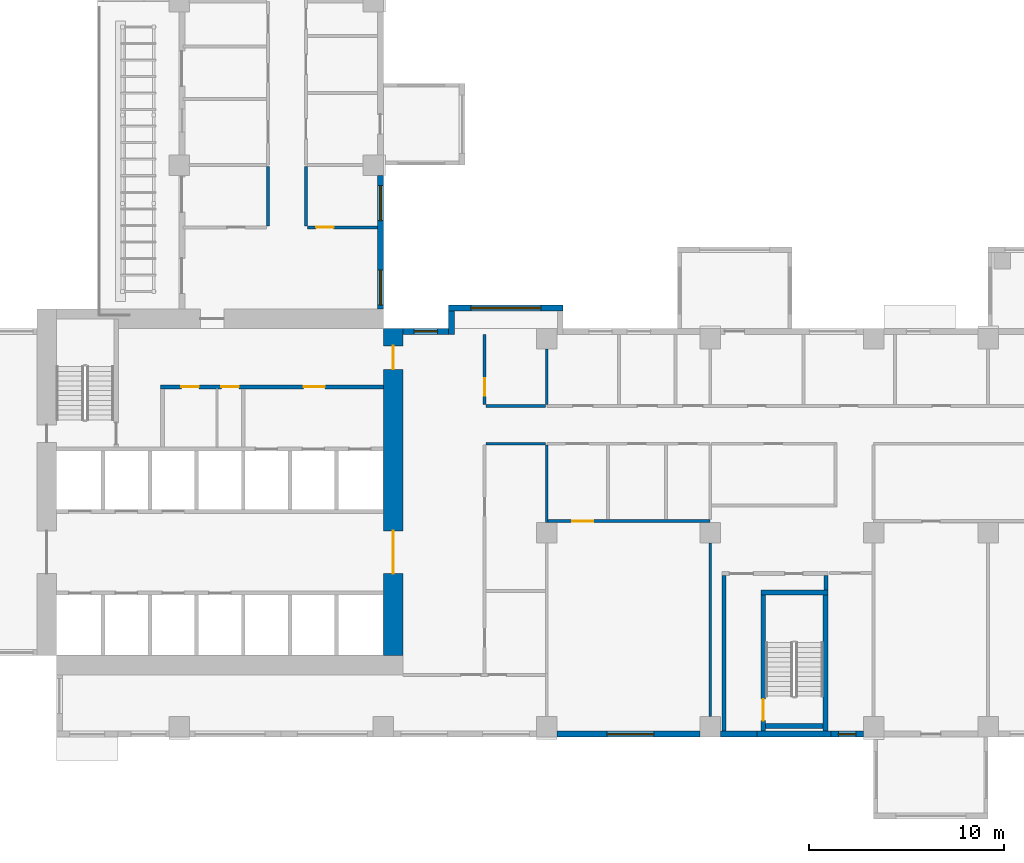
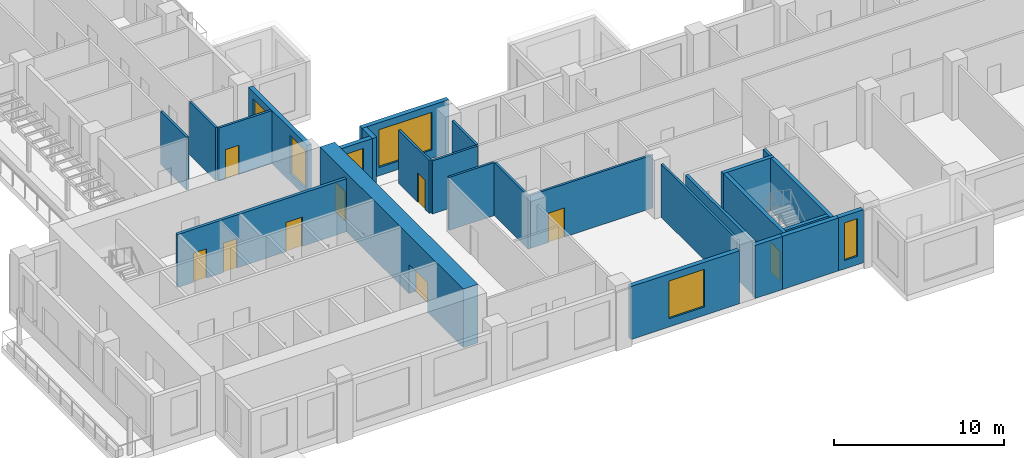
# One storey, part 5 of 16: 26 walls, 9 doors, 6 windows, 15 openings.
"""IFC4 building model written with IfcOpenShell, lengths in metres."""

from ifc_helpers import new_model, si_unit, direction, frame, frame_2d, origin, place, context, subcontext, project, spatial, rectangle, extrude, source, transform, mapped, material, layer, layer_set, type_object, element, fill, save


model = new_model("IFC4")

# Units and contexts
model_context = context("Model", 3, precision=1e-05, world=origin(), true_north=direction((0.0, 1.0)))
body_context = subcontext(model_context, "Body", "Model", "MODEL_VIEW")
ifc_project = project(units=[si_unit("LENGTHUNIT", "METRE"), si_unit("AREAUNIT", "SQUARE_METRE"), si_unit("VOLUMEUNIT", "CUBIC_METRE"), si_unit("PLANEANGLEUNIT", "RADIAN"), si_unit("MASSUNIT", "GRAM", prefix="KILO")], contexts=[model_context])

# Site, building, storey
site_placement = place(None, origin())
site = spatial("IfcSite", under=ifc_project, at=site_placement, CompositionType="ELEMENT")
building_placement = place(site_placement, origin())
building = spatial("IfcBuilding", under=site, at=building_placement, Name="Aurelian Terraces", CompositionType="ELEMENT")
storey_placement = place(building_placement, frame((0.0, 0.0, 124.5)))
storey = spatial("IfcBuildingStorey", under=building, at=storey_placement, Name="L27", CompositionType="ELEMENT", Elevation=124.5)

# Wall, openings, doors
ifc_material_1 = material(Name="Concrete fc' 83 MPa", Category="concrete")
ifc_layer_1 = layer(ifc_material_1, 1.0)
ifc_layer_set_1 = layer_set([ifc_layer_1], Name="CORE WALL 1000 FC83")
wall_type_1 = type_object("IfcWallType", Name="CORE WALL 1000 FC83", PredefinedType="SHEAR", material=ifc_layer_set_1)
shared_shape_1 = source(origin(), body_context, "Body", "SweptSolid", [
    extrude(rectangle(XDim=16.8, YDim=1.0, at=frame_2d((8.4, 0.0))), origin(), (0.0, 0.0, 1.0), 4.2),
])
wall_1_placement = place(storey_placement, frame((21.5, 4.2, 0.0), z_axis=(0.0, 0.0, 1.0), x_axis=(0.0, 1.0, 0.0)))
wall_1 = element("IfcWall", 1, at=wall_1_placement, inside=storey, type_object=wall_type_1, Name="Core wall E L27", PredefinedType="SHEAR", context=body_context, shape_type="MappedRepresentation", body=[
    mapped(shared_shape_1, transform((0.0, 0.0, 0.0), scale=1.0)),
])
shared_shape_2 = source(origin(), body_context, "Body", "SweptSolid", [
    extrude(rectangle(XDim=2.2, YDim=2.1, at=frame_2d((1.1, 1.05))), frame((0.0, 0.51, 0.0), z_axis=(0.0, -1.0, 0.0), x_axis=(1.0, 0.0, 0.0)), (0.0, 0.0, 1.0), 1.02),
])
opening_1_placement = place(wall_1_placement, frame((4.2, 0.0, 0.0)))
opening_1 = element("IfcOpeningElement", 2, at=opening_1_placement, cuts=wall_1, Name="Opening 63020", PredefinedType="OPENING", context=body_context, shape_type="MappedRepresentation", body=[
    mapped(shared_shape_2, transform((0.0, 0.0, 0.0), scale=1.0)),
])
shared_shape_3 = source(origin(), body_context, "Body", "SweptSolid", [
    extrude(rectangle(XDim=1.2, YDim=2.1, at=frame_2d((0.6, 1.05))), frame((0.0, 0.51, 0.0), z_axis=(0.0, -1.0, 0.0), x_axis=(1.0, 0.0, 0.0)), (0.0, 0.0, 1.0), 1.02),
])
opening_2_placement = place(wall_1_placement, frame((14.7, 0.0, 0.0)))
opening_2 = element("IfcOpeningElement", 3, at=opening_2_placement, cuts=wall_1, Name="Opening 63023", PredefinedType="OPENING", context=body_context, shape_type="MappedRepresentation", body=[
    mapped(shared_shape_3, transform((0.0, 0.0, 0.0), scale=1.0)),
])
ifc_material_2 = material(Name="Steel door leaf", Category="steel")
door_type_1 = type_object("IfcDoorType", Name="Core fire door 1200x2100 right", OperationType="SINGLE_SWING_RIGHT", PredefinedType="DOOR", material=ifc_material_2)
shared_shape_4 = source(origin(), body_context, "Body", "SweptSolid", [
    extrude(rectangle(XDim=1.2, YDim=2.1, at=frame_2d((0.6, 1.05))), frame((0.0, 0.025, 0.0), z_axis=(0.0, -1.0, 0.0), x_axis=(1.0, 0.0, 0.0)), (0.0, 0.0, 1.0), 0.05),
])
door_1_placement = place(opening_2_placement, origin())
door_1 = element("IfcDoor", 4, at=door_1_placement, inside=storey, type_object=door_type_1, Name="Core door 63023", OperationType="SINGLE_SWING_RIGHT", OverallHeight=2.1, OverallWidth=1.2, PredefinedType="DOOR", context=body_context, shape_type="MappedRepresentation", body=[
    mapped(shared_shape_4, transform((0.0, 0.0, 0.0), scale=1.0)),
])
fill(opening_2, door_1)
door_type_2 = type_object("IfcDoorType", Name="Core double door 2200x2100", OperationType="DOUBLE_DOOR_SINGLE_SWING", PredefinedType="DOOR", material=ifc_material_2)
shared_shape_5 = source(origin(), body_context, "Body", "SweptSolid", [
    extrude(rectangle(XDim=2.2, YDim=2.1, at=frame_2d((1.1, 1.05))), frame((0.0, 0.025, 0.0), z_axis=(0.0, -1.0, 0.0), x_axis=(1.0, 0.0, 0.0)), (0.0, 0.0, 1.0), 0.05),
])
door_2_placement = place(opening_1_placement, origin())
door_2 = element("IfcDoor", 5, at=door_2_placement, inside=storey, type_object=door_type_2, Name="Core door 63020", OperationType="DOUBLE_DOOR_SINGLE_SWING", OverallHeight=2.1, OverallWidth=2.2, PredefinedType="DOOR", context=body_context, shape_type="MappedRepresentation", body=[
    mapped(shared_shape_5, transform((0.0, 0.0, 0.0), scale=1.0)),
])
fill(opening_1, door_2)

# Wall
ifc_material_3 = material(Name="Terracotta rainscreen cladding", Category="masonry")
ifc_layer_2 = layer(ifc_material_3, 0.3)
ifc_layer_set_2 = layer_set([ifc_layer_2], Name="EW-300")
wall_type_2 = type_object("IfcWallType", Name="EW-300", PredefinedType="STANDARD", material=ifc_layer_set_2)
shared_shape_6 = source(origin(), body_context, "Body", "SweptSolid", [
    extrude(rectangle(XDim=1.2, YDim=0.3, at=frame_2d((0.6, 0.0))), origin(), (0.0, 0.0, 1.0), 3.8),
])
wall_2_placement = place(storey_placement, frame((24.51, 20.7, 0.0), z_axis=(0.0, 0.0, 1.0), x_axis=(0.0, 1.0, 0.0)))
element("IfcWall", 6, at=wall_2_placement, inside=storey, type_object=wall_type_2, Name="Bay return L27 F07.22.2", PredefinedType="STANDARD", context=body_context, shape_type="MappedRepresentation", body=[
    mapped(shared_shape_6, transform((0.0, 0.0, 0.0), scale=1.0)),
])

# Wall, opening, window
shared_shape_7 = source(origin(), body_context, "Body", "SweptSolid", [
    extrude(rectangle(XDim=5.88, YDim=0.3, at=frame_2d((2.94, 0.0))), origin(), (0.0, 0.0, 1.0), 3.8),
])
wall_3_placement = place(storey_placement, frame((30.24, 22.05, 0.0), z_axis=(0.0, 0.0, 1.0), x_axis=(-1.0, 0.0, 0.0)))
wall_3 = element("IfcWall", 7, at=wall_3_placement, inside=storey, type_object=wall_type_2, Name="Bay wall L27 F07.22", PredefinedType="STANDARD", context=body_context, shape_type="MappedRepresentation", body=[
    mapped(shared_shape_7, transform((0.0, 0.0, 0.0), scale=1.0)),
])
shared_shape_8 = source(origin(), body_context, "Body", "SweptSolid", [
    extrude(rectangle(XDim=3.6, YDim=2.7, at=frame_2d((1.8, 1.35))), frame((0.0, 0.16, 0.0), z_axis=(0.0, -1.0, 0.0), x_axis=(1.0, 0.0, 0.0)), (0.0, 0.0, 1.0), 0.32),
])
opening_3_placement = place(wall_3_placement, frame((1.14, 0.0, 0.6)))
opening_3 = element("IfcOpeningElement", 8, at=opening_3_placement, cuts=wall_3, Name="Opening W3627", PredefinedType="OPENING", context=body_context, shape_type="MappedRepresentation", body=[
    mapped(shared_shape_8, transform((0.0, 0.0, 0.0), scale=1.0)),
])
ifc_material_4 = material(Name="Clear glazing", Category="glass")
window_type_1 = type_object("IfcWindowType", Name="W-3600x2700", PartitioningType="SINGLE_PANEL", PredefinedType="WINDOW", material=ifc_material_4)
shared_shape_9 = source(origin(), body_context, "Body", "SweptSolid", [
    extrude(rectangle(XDim=3.6, YDim=2.7, at=frame_2d((1.8, 1.35))), frame((0.0, 0.03, 0.0), z_axis=(0.0, -1.0, 0.0), x_axis=(1.0, 0.0, 0.0)), (0.0, 0.0, 1.0), 0.06),
])
window_1_placement = place(opening_3_placement, origin())
window_1 = element("IfcWindow", 9, at=window_1_placement, inside=storey, type_object=window_type_1, Name="Window L27 L27-F07-22-0", OverallHeight=2.7, OverallWidth=3.6, PartitioningType="SINGLE_PANEL", PredefinedType="WINDOW", context=body_context, shape_type="MappedRepresentation", body=[
    mapped(shared_shape_9, transform((0.0, 0.0, 0.0), scale=1.0)),
])
fill(opening_3, window_1)

# Wall
ifc_material_5 = material(Name="Concrete fc' 40 MPa", Category="concrete")
ifc_layer_3 = layer(ifc_material_5, 0.3)
ifc_layer_set_3 = layer_set([ifc_layer_3], Name="STAIR BAY WALL 300")
wall_type_3 = type_object("IfcWallType", Name="STAIR BAY WALL 300", PredefinedType="SOLIDWALL", material=ifc_layer_set_3)
shared_shape_10 = source(origin(), body_context, "Body", "SweptSolid", [
    extrude(rectangle(XDim=3.8, YDim=0.3, at=frame_2d((1.9, 0.0))), origin(), (0.0, 0.0, 1.0), 3.8),
])
wall_4_placement = place(storey_placement, frame((40.2, 0.15, 0.0), z_axis=(0.0, 0.0, 1.0), x_axis=(1.0, 0.0, 0.0)))
element("IfcWall", 10, at=wall_4_placement, inside=storey, type_object=wall_type_3, Name="Stair bay wall L27 F01.7", PredefinedType="SOLIDWALL", context=body_context, shape_type="MappedRepresentation", body=[
    mapped(shared_shape_10, transform((0.0, 0.0, 0.0), scale=1.0)),
])

# Wall, opening, window
shared_shape_11 = source(origin(), body_context, "Body", "SweptSolid", [
    extrude(rectangle(XDim=7.35, YDim=0.3, at=frame_2d((3.675, 0.0))), origin(), (0.0, 0.0, 1.0), 3.8),
])
wall_5_placement = place(storey_placement, frame((29.925, 0.15, 0.0), z_axis=(0.0, 0.0, 1.0), x_axis=(1.0, 0.0, 0.0)))
wall_5 = element("IfcWall", 11, at=wall_5_placement, inside=storey, type_object=wall_type_2, Name="External wall L27 F01.6", PredefinedType="STANDARD", context=body_context, shape_type="MappedRepresentation", body=[
    mapped(shared_shape_11, transform((0.0, 0.0, 0.0), scale=1.0)),
])
shared_shape_12 = source(origin(), body_context, "Body", "SweptSolid", [
    extrude(rectangle(XDim=2.4, YDim=2.7, at=frame_2d((1.2, 1.35))), frame((0.0, 0.16, 0.0), z_axis=(0.0, -1.0, 0.0), x_axis=(1.0, 0.0, 0.0)), (0.0, 0.0, 1.0), 0.32),
])
opening_4_placement = place(wall_5_placement, frame((2.575, 0.0, 0.6)))
opening_4 = element("IfcOpeningElement", 12, at=opening_4_placement, cuts=wall_5, Name="Opening W2427", PredefinedType="OPENING", context=body_context, shape_type="MappedRepresentation", body=[
    mapped(shared_shape_12, transform((0.0, 0.0, 0.0), scale=1.0)),
])
window_type_2 = type_object("IfcWindowType", Name="W-2400x2700", PartitioningType="SINGLE_PANEL", PredefinedType="WINDOW", material=ifc_material_4)
shared_shape_13 = source(origin(), body_context, "Body", "SweptSolid", [
    extrude(rectangle(XDim=2.4, YDim=2.7, at=frame_2d((1.2, 1.35))), frame((0.0, 0.03, 0.0), z_axis=(0.0, -1.0, 0.0), x_axis=(1.0, 0.0, 0.0)), (0.0, 0.0, 1.0), 0.06),
])
window_2_placement = place(opening_4_placement, origin())
window_2 = element("IfcWindow", 13, at=window_2_placement, inside=storey, type_object=window_type_2, Name="Window L27 L27-F01-06-P0", OverallHeight=2.7, OverallWidth=2.4, PartitioningType="SINGLE_PANEL", PredefinedType="WINDOW", context=body_context, shape_type="MappedRepresentation", body=[
    mapped(shared_shape_13, transform((0.0, 0.0, 0.0), scale=1.0)),
])
fill(opening_4, window_2)

# Wall, openings, windows
shared_shape_14 = source(origin(), body_context, "Body", "SweptSolid", [
    extrude(rectangle(XDim=6.875, YDim=0.3, at=frame_2d((3.4375, 0.0))), origin(), (0.0, 0.0, 1.0), 3.8),
])
wall_6_placement = place(storey_placement, frame((20.85, 22.0, 0.0), z_axis=(0.0, 0.0, 1.0), x_axis=(0.0, 1.0, 0.0)))
wall_6 = element("IfcWall", 14, at=wall_6_placement, inside=storey, type_object=wall_type_2, Name="External wall L27 F08.24", PredefinedType="STANDARD", context=body_context, shape_type="MappedRepresentation", body=[
    mapped(shared_shape_14, transform((0.0, 0.0, 0.0), scale=1.0)),
])
shared_shape_15 = source(origin(), body_context, "Body", "SweptSolid", [
    extrude(rectangle(XDim=1.8, YDim=2.7, at=frame_2d((0.9, 1.35))), frame((0.0, 0.16, 0.0), z_axis=(0.0, -1.0, 0.0), x_axis=(1.0, 0.0, 0.0)), (0.0, 0.0, 1.0), 0.32),
])
opening_5_placement = place(wall_6_placement, frame((0.2, 0.0, 0.6)))
opening_5 = element("IfcOpeningElement", 15, at=opening_5_placement, cuts=wall_6, Name="Opening W1827", PredefinedType="OPENING", context=body_context, shape_type="MappedRepresentation", body=[
    mapped(shared_shape_15, transform((0.0, 0.0, 0.0), scale=1.0)),
])
opening_6_placement = place(wall_6_placement, frame((4.5375, 0.0, 0.6)))
opening_6 = element("IfcOpeningElement", 16, at=opening_6_placement, cuts=wall_6, Name="Opening W1827", PredefinedType="OPENING", context=body_context, shape_type="MappedRepresentation", body=[
    mapped(shared_shape_15, transform((0.0, 0.0, 0.0), scale=1.0)),
])
window_type_3 = type_object("IfcWindowType", Name="W-1800x2700", PartitioningType="SINGLE_PANEL", PredefinedType="WINDOW", material=ifc_material_4)
shared_shape_16 = source(origin(), body_context, "Body", "SweptSolid", [
    extrude(rectangle(XDim=1.8, YDim=2.7, at=frame_2d((0.9, 1.35))), frame((0.0, 0.03, 0.0), z_axis=(0.0, -1.0, 0.0), x_axis=(1.0, 0.0, 0.0)), (0.0, 0.0, 1.0), 0.06),
])
window_3_placement = place(opening_5_placement, origin())
window_3 = element("IfcWindow", 17, at=window_3_placement, inside=storey, type_object=window_type_3, Name="Window L27 L27-F08-24-0", OverallHeight=2.7, OverallWidth=1.8, PartitioningType="SINGLE_PANEL", PredefinedType="WINDOW", context=body_context, shape_type="MappedRepresentation", body=[
    mapped(shared_shape_16, transform((0.0, 0.0, 0.0), scale=1.0)),
])
fill(opening_5, window_3)
window_4_placement = place(opening_6_placement, origin())
window_4 = element("IfcWindow", 18, at=window_4_placement, inside=storey, type_object=window_type_3, Name="Window L27 L27-F08-24-1", OverallHeight=2.7, OverallWidth=1.8, PartitioningType="SINGLE_PANEL", PredefinedType="WINDOW", context=body_context, shape_type="MappedRepresentation", body=[
    mapped(shared_shape_16, transform((0.0, 0.0, 0.0), scale=1.0)),
])
fill(opening_6, window_4)

# Wall, opening, window
shared_shape_17 = source(origin(), body_context, "Body", "SweptSolid", [
    extrude(rectangle(XDim=1.675, YDim=0.3, at=frame_2d((0.8375, 0.0))), origin(), (0.0, 0.0, 1.0), 3.8),
])
wall_7_placement = place(storey_placement, frame((44.0, 0.15, 0.0), z_axis=(0.0, 0.0, 1.0), x_axis=(1.0, 0.0, 0.0)))
wall_7 = element("IfcWall", 19, at=wall_7_placement, inside=storey, type_object=wall_type_2, Name="External wall L27 F01.7", PredefinedType="STANDARD", context=body_context, shape_type="MappedRepresentation", body=[
    mapped(shared_shape_17, transform((0.0, 0.0, 0.0), scale=1.0)),
])
shared_shape_18 = source(origin(), body_context, "Body", "SweptSolid", [
    extrude(rectangle(XDim=0.9, YDim=2.7, at=frame_2d((0.45, 1.35))), frame((0.0, 0.16, 0.0), z_axis=(0.0, -1.0, 0.0), x_axis=(1.0, 0.0, 0.0)), (0.0, 0.0, 1.0), 0.32),
])
opening_7_placement = place(wall_7_placement, frame((0.3875, 0.0, 0.6)))
opening_7 = element("IfcOpeningElement", 20, at=opening_7_placement, cuts=wall_7, Name="Opening W0927", PredefinedType="OPENING", context=body_context, shape_type="MappedRepresentation", body=[
    mapped(shared_shape_18, transform((0.0, 0.0, 0.0), scale=1.0)),
])
window_type_4 = type_object("IfcWindowType", Name="W-900x2700", PartitioningType="SINGLE_PANEL", PredefinedType="WINDOW", material=ifc_material_4)
shared_shape_19 = source(origin(), body_context, "Body", "SweptSolid", [
    extrude(rectangle(XDim=0.9, YDim=2.7, at=frame_2d((0.45, 1.35))), frame((0.0, 0.03, 0.0), z_axis=(0.0, -1.0, 0.0), x_axis=(1.0, 0.0, 0.0)), (0.0, 0.0, 1.0), 0.06),
])
window_5_placement = place(opening_7_placement, origin())
window_5 = element("IfcWindow", 21, at=window_5_placement, inside=storey, type_object=window_type_4, Name="Window L27 L27-F01-07-P2", OverallHeight=2.7, OverallWidth=0.9, PartitioningType="SINGLE_PANEL", PredefinedType="WINDOW", context=body_context, shape_type="MappedRepresentation", body=[
    mapped(shared_shape_19, transform((0.0, 0.0, 0.0), scale=1.0)),
])
fill(opening_7, window_5)

# Wall
shared_shape_20 = source(origin(), body_context, "Body", "SweptSolid", [
    extrude(rectangle(XDim=1.875, YDim=0.3, at=frame_2d((0.9375, 0.0))), origin(), (0.0, 0.0, 1.0), 3.8),
])
wall_8_placement = place(storey_placement, frame((38.325, 0.15, 0.0), z_axis=(0.0, 0.0, 1.0), x_axis=(1.0, 0.0, 0.0)))
element("IfcWall", 22, at=wall_8_placement, inside=storey, type_object=wall_type_2, Name="External wall L27 F01.7", PredefinedType="STANDARD", context=body_context, shape_type="MappedRepresentation", body=[
    mapped(shared_shape_20, transform((0.0, 0.0, 0.0), scale=1.0)),
])

# Wall, opening, window
shared_shape_21 = source(origin(), body_context, "Body", "SweptSolid", [
    extrude(rectangle(XDim=2.36, YDim=0.3, at=frame_2d((1.18, 0.0))), origin(), (0.0, 0.0, 1.0), 3.8),
])
wall_9_placement = place(storey_placement, frame((24.36, 20.85, 0.0), z_axis=(0.0, 0.0, 1.0), x_axis=(-1.0, 0.0, 0.0)))
wall_9 = element("IfcWall", 23, at=wall_9_placement, inside=storey, type_object=wall_type_2, Name="External wall L27 F07.23", PredefinedType="STANDARD", context=body_context, shape_type="MappedRepresentation", body=[
    mapped(shared_shape_21, transform((0.0, 0.0, 0.0), scale=1.0)),
])
shared_shape_22 = source(origin(), body_context, "Body", "SweptSolid", [
    extrude(rectangle(XDim=1.2, YDim=2.7, at=frame_2d((0.6, 1.35))), frame((0.0, 0.16, 0.0), z_axis=(0.0, -1.0, 0.0), x_axis=(1.0, 0.0, 0.0)), (0.0, 0.0, 1.0), 0.32),
])
opening_8_placement = place(wall_9_placement, frame((0.58, 0.0, 0.6)))
opening_8 = element("IfcOpeningElement", 24, at=opening_8_placement, cuts=wall_9, Name="Opening W1227", PredefinedType="OPENING", context=body_context, shape_type="MappedRepresentation", body=[
    mapped(shared_shape_22, transform((0.0, 0.0, 0.0), scale=1.0)),
])
window_type_5 = type_object("IfcWindowType", Name="W-1200x2700", PartitioningType="SINGLE_PANEL", PredefinedType="WINDOW", material=ifc_material_4)
shared_shape_23 = source(origin(), body_context, "Body", "SweptSolid", [
    extrude(rectangle(XDim=1.2, YDim=2.7, at=frame_2d((0.6, 1.35))), frame((0.0, 0.03, 0.0), z_axis=(0.0, -1.0, 0.0), x_axis=(1.0, 0.0, 0.0)), (0.0, 0.0, 1.0), 0.06),
])
window_6_placement = place(opening_8_placement, origin())
window_6 = element("IfcWindow", 25, at=window_6_placement, inside=storey, type_object=window_type_5, Name="Window L27 L27-F07-23-P0", OverallHeight=2.7, OverallWidth=1.2, PartitioningType="SINGLE_PANEL", PredefinedType="WINDOW", context=body_context, shape_type="MappedRepresentation", body=[
    mapped(shared_shape_23, transform((0.0, 0.0, 0.0), scale=1.0)),
])
fill(opening_8, window_6)

# Wall, opening, door
ifc_layer_4 = layer(ifc_material_5, 0.25)
ifc_layer_set_4 = layer_set([ifc_layer_4], Name="Stair enclosure wall 250")
wall_type_4 = type_object("IfcWallType", Name="Stair enclosure wall 250", PredefinedType="SOLIDWALL", material=ifc_layer_set_4)
shared_shape_24 = source(origin(), body_context, "Body", "SweptSolid", [
    extrude(rectangle(XDim=7.0, YDim=0.25, at=frame_2d((3.5, 0.0))), origin(), (0.0, 0.0, 1.0), 3.8),
])
wall_10_placement = place(storey_placement, frame((40.525, 0.3, 0.0), z_axis=(0.0, 0.0, 1.0), x_axis=(0.0, 1.0, 0.0)))
wall_10 = element("IfcWall", 26, at=wall_10_placement, inside=storey, type_object=wall_type_4, Name="L27 core wall ST-S2-W", PredefinedType="SOLIDWALL", context=body_context, shape_type="MappedRepresentation", body=[
    mapped(shared_shape_24, transform((0.0, 0.0, 0.0), scale=1.0)),
])
shared_shape_25 = source(origin(), body_context, "Body", "SweptSolid", [
    extrude(rectangle(XDim=1.1, YDim=2.1, at=frame_2d((0.55, 1.05))), frame((0.0, 0.135, 0.0), z_axis=(0.0, -1.0, 0.0), x_axis=(1.0, 0.0, 0.0)), (0.0, 0.0, 1.0), 0.27),
])
opening_9_placement = place(wall_10_placement, frame((0.55, 0.0, 0.0)))
opening_9 = element("IfcOpeningElement", 27, at=opening_9_placement, cuts=wall_10, Name="Opening 63014", PredefinedType="OPENING", context=body_context, shape_type="MappedRepresentation", body=[
    mapped(shared_shape_25, transform((0.0, 0.0, 0.0), scale=1.0)),
])
door_type_3 = type_object("IfcDoorType", Name="Core fire door 1100x2100", OperationType="SINGLE_SWING_LEFT", PredefinedType="DOOR", material=ifc_material_2)
shared_shape_26 = source(origin(), body_context, "Body", "SweptSolid", [
    extrude(rectangle(XDim=1.1, YDim=2.1, at=frame_2d((0.55, 1.05))), frame((0.0, 0.025, 0.0), z_axis=(0.0, -1.0, 0.0), x_axis=(1.0, 0.0, 0.0)), (0.0, 0.0, 1.0), 0.05),
])
door_3_placement = place(opening_9_placement, origin())
door_3 = element("IfcDoor", 28, at=door_3_placement, inside=storey, type_object=door_type_3, Name="Stair door 63014", OperationType="SINGLE_SWING_LEFT", OverallHeight=2.1, OverallWidth=1.1, PredefinedType="DOOR", context=body_context, shape_type="MappedRepresentation", body=[
    mapped(shared_shape_26, transform((0.0, 0.0, 0.0), scale=1.0)),
])
fill(opening_9, door_3)

# Walls
wall_11_placement = place(storey_placement, frame((43.725, 0.3, 0.0), z_axis=(0.0, 0.0, 1.0), x_axis=(0.0, 1.0, 0.0)))
element("IfcWall", 29, at=wall_11_placement, inside=storey, type_object=wall_type_4, Name="L27 core wall ST-S2-E", PredefinedType="SOLIDWALL", context=body_context, shape_type="MappedRepresentation", body=[
    mapped(shared_shape_24, transform((0.0, 0.0, 0.0), scale=1.0)),
])
shared_shape_27 = source(origin(), body_context, "Body", "SweptSolid", [
    extrude(rectangle(XDim=3.45, YDim=0.25, at=frame_2d((1.725, 0.0))), origin(), (0.0, 0.0, 1.0), 3.8),
])
wall_12_placement = place(storey_placement, frame((40.4, 7.425, 0.0), z_axis=(0.0, 0.0, 1.0), x_axis=(1.0, 0.0, 0.0)))
element("IfcWall", 30, at=wall_12_placement, inside=storey, type_object=wall_type_4, Name="L27 core wall ST-S2-N", PredefinedType="SOLIDWALL", context=body_context, shape_type="MappedRepresentation", body=[
    mapped(shared_shape_27, transform((0.0, 0.0, 0.0), scale=1.0)),
])
shared_shape_28 = source(origin(), body_context, "Body", "SweptSolid", [
    extrude(rectangle(XDim=2.95, YDim=0.25, at=frame_2d((1.475, 0.0))), origin(), (0.0, 0.0, 1.0), 3.8),
])
wall_13_placement = place(storey_placement, frame((40.65, 0.575, 0.0), z_axis=(0.0, 0.0, 1.0), x_axis=(1.0, 0.0, 0.0)))
element("IfcWall", 31, at=wall_13_placement, inside=storey, type_object=wall_type_4, Name="L27 core wall ST-S2-SS", PredefinedType="SOLIDWALL", context=body_context, shape_type="MappedRepresentation", body=[
    mapped(shared_shape_28, transform((0.0, 0.0, 0.0), scale=1.0)),
])
ifc_material_6 = material(Name="Gypsum board on steel studs", Category="steel")
ifc_layer_5 = layer(ifc_material_6, 0.2)
ifc_layer_set_5 = layer_set([ifc_layer_5], Name="Core partition 200")
wall_type_5 = type_object("IfcWallType", Name="Core partition 200", PredefinedType="PARTITIONING", material=ifc_layer_set_5)
shared_shape_29 = source(origin(), body_context, "Body", "SweptSolid", [
    extrude(rectangle(XDim=8.0, YDim=0.2, at=frame_2d((4.0, 0.0))), origin(), (0.0, 0.0, 1.0), 3.8),
])
wall_14_placement = place(storey_placement, frame((38.5, 0.3, 0.0), z_axis=(0.0, 0.0, 1.0), x_axis=(0.0, 1.0, 0.0)))
element("IfcWall", 32, at=wall_14_placement, inside=storey, type_object=wall_type_5, Name="L27 core wall ST-S2-VW", PredefinedType="PARTITIONING", context=body_context, shape_type="MappedRepresentation", body=[
    mapped(shared_shape_29, transform((0.0, 0.0, 0.0), scale=1.0)),
])
shared_shape_30 = source(origin(), body_context, "Body", "SweptSolid", [
    extrude(rectangle(XDim=0.75, YDim=0.2, at=frame_2d((0.375, 0.0))), origin(), (0.0, 0.0, 1.0), 3.8),
])
wall_15_placement = place(storey_placement, frame((43.75, 7.55, 0.0), z_axis=(0.0, 0.0, 1.0), x_axis=(0.0, 1.0, 0.0)))
element("IfcWall", 33, at=wall_15_placement, inside=storey, type_object=wall_type_5, Name="L27 core wall ST-S2-RE", PredefinedType="PARTITIONING", context=body_context, shape_type="MappedRepresentation", body=[
    mapped(shared_shape_30, transform((0.0, 0.0, 0.0), scale=1.0)),
])

# Wall, openings, doors
shared_shape_31 = source(origin(), body_context, "Body", "SweptSolid", [
    extrude(rectangle(XDim=11.45, YDim=0.2, at=frame_2d((5.725, 0.0))), origin(), (0.0, 0.0, 1.0), 3.8),
])
wall_16_placement = place(storey_placement, frame((9.55, 18.0, 0.0), z_axis=(0.0, 0.0, 1.0), x_axis=(1.0, 0.0, 0.0)))
wall_16 = element("IfcWall", 34, at=wall_16_placement, inside=storey, type_object=wall_type_5, Name="L27 core wall CP-NORTH", PredefinedType="PARTITIONING", context=body_context, shape_type="MappedRepresentation", body=[
    mapped(shared_shape_31, transform((0.0, 0.0, 0.0), scale=1.0)),
])
shared_shape_32 = source(origin(), body_context, "Body", "SweptSolid", [
    extrude(rectangle(XDim=0.9, YDim=2.1, at=frame_2d((0.45, 1.05))), frame((0.0, 0.11, 0.0), z_axis=(0.0, -1.0, 0.0), x_axis=(1.0, 0.0, 0.0)), (0.0, 0.0, 1.0), 0.22),
])
opening_10_placement = place(wall_16_placement, frame((1.075, 0.0, 0.0)))
opening_10 = element("IfcOpeningElement", 35, at=opening_10_placement, cuts=wall_16, Name="Opening 63011", PredefinedType="OPENING", context=body_context, shape_type="MappedRepresentation", body=[
    mapped(shared_shape_32, transform((0.0, 0.0, 0.0), scale=1.0)),
])
opening_11_placement = place(wall_16_placement, frame((3.125, 0.0, 0.0)))
opening_11 = element("IfcOpeningElement", 36, at=opening_11_placement, cuts=wall_16, Name="Opening 63012", PredefinedType="OPENING", context=body_context, shape_type="MappedRepresentation", body=[
    mapped(shared_shape_32, transform((0.0, 0.0, 0.0), scale=1.0)),
])
shared_shape_33 = source(origin(), body_context, "Body", "SweptSolid", [
    extrude(rectangle(XDim=1.1, YDim=2.1, at=frame_2d((0.55, 1.05))), frame((0.0, 0.11, 0.0), z_axis=(0.0, -1.0, 0.0), x_axis=(1.0, 0.0, 0.0)), (0.0, 0.0, 1.0), 0.22),
])
opening_12_placement = place(wall_16_placement, frame((7.35, 0.0, 0.0)))
opening_12 = element("IfcOpeningElement", 37, at=opening_12_placement, cuts=wall_16, Name="Opening 63013", PredefinedType="OPENING", context=body_context, shape_type="MappedRepresentation", body=[
    mapped(shared_shape_33, transform((0.0, 0.0, 0.0), scale=1.0)),
])
door_type_4 = type_object("IfcDoorType", Name="Core service door 900x2100 right", OperationType="SINGLE_SWING_RIGHT", PredefinedType="DOOR", material=ifc_material_2)
shared_shape_34 = source(origin(), body_context, "Body", "SweptSolid", [
    extrude(rectangle(XDim=0.9, YDim=2.1, at=frame_2d((0.45, 1.05))), frame((0.0, 0.025, 0.0), z_axis=(0.0, -1.0, 0.0), x_axis=(1.0, 0.0, 0.0)), (0.0, 0.0, 1.0), 0.05),
])
door_4_placement = place(opening_10_placement, origin())
door_4 = element("IfcDoor", 38, at=door_4_placement, inside=storey, type_object=door_type_4, Name="Room door 63011", OperationType="SINGLE_SWING_RIGHT", OverallHeight=2.1, OverallWidth=0.9, PredefinedType="DOOR", context=body_context, shape_type="MappedRepresentation", body=[
    mapped(shared_shape_34, transform((0.0, 0.0, 0.0), scale=1.0)),
])
fill(opening_10, door_4)
door_type_5 = type_object("IfcDoorType", Name="Core riser door 900x2100", OperationType="SINGLE_SWING_LEFT", PredefinedType="DOOR", material=ifc_material_2)
door_5_placement = place(opening_11_placement, origin())
door_5 = element("IfcDoor", 39, at=door_5_placement, inside=storey, type_object=door_type_5, Name="Room door 63012", OperationType="SINGLE_SWING_LEFT", OverallHeight=2.1, OverallWidth=0.9, PredefinedType="DOOR", context=body_context, shape_type="MappedRepresentation", body=[
    mapped(shared_shape_34, transform((0.0, 0.0, 0.0), scale=1.0)),
])
fill(opening_11, door_5)
door_type_6 = type_object("IfcDoorType", Name="Core fire door 1100x2100 right", OperationType="SINGLE_SWING_RIGHT", PredefinedType="DOOR", material=ifc_material_2)
door_6_placement = place(opening_12_placement, origin())
door_6 = element("IfcDoor", 40, at=door_6_placement, inside=storey, type_object=door_type_6, Name="Ff lobby door 63013", OperationType="SINGLE_SWING_RIGHT", OverallHeight=2.1, OverallWidth=1.1, PredefinedType="DOOR", context=body_context, shape_type="MappedRepresentation", body=[
    mapped(shared_shape_26, transform((0.0, 0.0, 0.0), scale=1.0)),
])
fill(opening_12, door_6)

# Wall, opening, door
ifc_layer_6 = layer(ifc_material_6, 0.15)
ifc_layer_set_6 = layer_set([ifc_layer_6], Name="Partition 150")
wall_type_6 = type_object("IfcWallType", Name="Partition 150", PredefinedType="PARTITIONING", material=ifc_layer_set_6)
shared_shape_35 = source(origin(), body_context, "Body", "SweptSolid", [
    extrude(rectangle(XDim=3.6, YDim=0.15, at=frame_2d((1.8, 0.0))), origin(), (0.0, 0.0, 1.0), 3.8),
])
wall_17_placement = place(storey_placement, frame((26.2, 20.7, 0.0), z_axis=(0.0, 0.0, 1.0), x_axis=(0.0, -1.0, 0.0)))
wall_17 = element("IfcWall", 41, at=wall_17_placement, inside=storey, type_object=wall_type_6, Name="Partition", PredefinedType="PARTITIONING", context=body_context, shape_type="MappedRepresentation", body=[
    mapped(shared_shape_35, transform((0.0, 0.0, 0.0), scale=1.0)),
])
shared_shape_36 = source(origin(), body_context, "Body", "SweptSolid", [
    extrude(rectangle(XDim=0.9, YDim=2.1, at=frame_2d((0.45, 1.05))), frame((0.0, 0.085, 0.0), z_axis=(0.0, -1.0, 0.0), x_axis=(1.0, 0.0, 0.0)), (0.0, 0.0, 1.0), 0.17),
])
opening_13_placement = place(wall_17_placement, frame((2.25, 0.0, 0.0)))
opening_13 = element("IfcOpeningElement", 42, at=opening_13_placement, cuts=wall_17, Name="Opening 727003", PredefinedType="OPENING", context=body_context, shape_type="MappedRepresentation", body=[
    mapped(shared_shape_36, transform((0.0, 0.0, 0.0), scale=1.0)),
])
ifc_material_7 = material(Name="Timber door leaf", Category="wood")
door_type_7 = type_object("IfcDoorType", Name="Room door 900x2100 left", OperationType="SINGLE_SWING_LEFT", PredefinedType="DOOR", material=ifc_material_7)
door_7_placement = place(opening_13_placement, origin())
door_7 = element("IfcDoor", 43, at=door_7_placement, inside=storey, type_object=door_type_7, Name="Door 727003", OperationType="SINGLE_SWING_LEFT", OverallHeight=2.1, OverallWidth=0.9, PredefinedType="DOOR", context=body_context, shape_type="MappedRepresentation", body=[
    mapped(shared_shape_34, transform((0.0, 0.0, 0.0), scale=1.0)),
])
fill(opening_13, door_7)

wall_18_placement = place(storey_placement, frame((17.1, 26.2, 0.0), z_axis=(0.0, 0.0, 1.0), x_axis=(1.0, 0.0, 0.0)))
wall_18 = element("IfcWall", 44, at=wall_18_placement, inside=storey, type_object=wall_type_6, Name="Partition", PredefinedType="PARTITIONING", context=body_context, shape_type="MappedRepresentation", body=[
    mapped(shared_shape_35, transform((0.0, 0.0, 0.0), scale=1.0)),
])
opening_14_placement = place(wall_18_placement, frame((0.45, 0.0, 0.0)))
opening_14 = element("IfcOpeningElement", 45, at=opening_14_placement, cuts=wall_18, Name="Opening 727028", PredefinedType="OPENING", context=body_context, shape_type="MappedRepresentation", body=[
    mapped(shared_shape_36, transform((0.0, 0.0, 0.0), scale=1.0)),
])
door_8_placement = place(opening_14_placement, origin())
door_8 = element("IfcDoor", 46, at=door_8_placement, inside=storey, type_object=door_type_7, Name="Door 727028", OperationType="SINGLE_SWING_LEFT", OverallHeight=2.1, OverallWidth=0.9, PredefinedType="DOOR", context=body_context, shape_type="MappedRepresentation", body=[
    mapped(shared_shape_34, transform((0.0, 0.0, 0.0), scale=1.0)),
])
fill(opening_14, door_8)

shared_shape_37 = source(origin(), body_context, "Body", "SweptSolid", [
    extrude(rectangle(XDim=8.4, YDim=0.15, at=frame_2d((4.2, 0.0))), origin(), (0.0, 0.0, 1.0), 3.8),
])
wall_19_placement = place(storey_placement, frame((37.8, 11.1, 0.0), z_axis=(0.0, 0.0, 1.0), x_axis=(-1.0, 0.0, 0.0)))
wall_19 = element("IfcWall", 47, at=wall_19_placement, inside=storey, type_object=wall_type_6, Name="Partition", PredefinedType="PARTITIONING", context=body_context, shape_type="MappedRepresentation", body=[
    mapped(shared_shape_37, transform((0.0, 0.0, 0.0), scale=1.0)),
])
shared_shape_38 = source(origin(), body_context, "Body", "SweptSolid", [
    extrude(rectangle(XDim=1.1, YDim=2.1, at=frame_2d((0.55, 1.05))), frame((0.0, 0.085, 0.0), z_axis=(0.0, -1.0, 0.0), x_axis=(1.0, 0.0, 0.0)), (0.0, 0.0, 1.0), 0.17),
])
opening_15_placement = place(wall_19_placement, frame((5.9992, 0.0, 0.0)))
opening_15 = element("IfcOpeningElement", 48, at=opening_15_placement, cuts=wall_19, Name="Opening 727008", PredefinedType="OPENING", context=body_context, shape_type="MappedRepresentation", body=[
    mapped(shared_shape_38, transform((0.0, 0.0, 0.0), scale=1.0)),
])
door_type_8 = type_object("IfcDoorType", Name="Room door 1100x2100 right", OperationType="SINGLE_SWING_RIGHT", PredefinedType="DOOR", material=ifc_material_7)
door_9_placement = place(opening_15_placement, origin())
door_9 = element("IfcDoor", 49, at=door_9_placement, inside=storey, type_object=door_type_8, Name="Door 727008", OperationType="SINGLE_SWING_RIGHT", OverallHeight=2.1, OverallWidth=1.1, PredefinedType="DOOR", context=body_context, shape_type="MappedRepresentation", body=[
    mapped(shared_shape_26, transform((0.0, 0.0, 0.0), scale=1.0)),
])
fill(opening_15, door_9)

# Walls
shared_shape_39 = source(origin(), body_context, "Body", "SweptSolid", [
    extrude(rectangle(XDim=3.976, YDim=0.15, at=frame_2d((1.988, 0.0))), origin(), (0.0, 0.0, 1.0), 3.8),
])
wall_20_placement = place(storey_placement, frame((29.4, 11.024, 0.0), z_axis=(0.0, 0.0, 1.0), x_axis=(0.0, 1.0, 0.0)))
element("IfcWall", 50, at=wall_20_placement, inside=storey, type_object=wall_type_6, Name="Partition", PredefinedType="PARTITIONING", context=body_context, shape_type="MappedRepresentation", body=[
    mapped(shared_shape_39, transform((0.0, 0.0, 0.0), scale=1.0)),
])
shared_shape_40 = source(origin(), body_context, "Body", "SweptSolid", [
    extrude(rectangle(XDim=8.927, YDim=0.15, at=frame_2d((4.4635, 0.0))), origin(), (0.0, 0.0, 1.0), 3.8),
])
wall_21_placement = place(storey_placement, frame((37.8, 1.049, 0.0), z_axis=(0.0, 0.0, 1.0), x_axis=(0.0, 1.0, 0.0)))
element("IfcWall", 51, at=wall_21_placement, inside=storey, type_object=wall_type_6, Name="Partition", PredefinedType="PARTITIONING", context=body_context, shape_type="MappedRepresentation", body=[
    mapped(shared_shape_40, transform((0.0, 0.0, 0.0), scale=1.0)),
])
shared_shape_41 = source(origin(), body_context, "Body", "SweptSolid", [
    extrude(rectangle(XDim=2.851, YDim=0.15, at=frame_2d((1.4255, 0.0))), origin(), (0.0, 0.0, 1.0), 3.8),
])
wall_22_placement = place(storey_placement, frame((29.4, 17.1, 0.0), z_axis=(0.0, 0.0, 1.0), x_axis=(0.0, 1.0, 0.0)))
element("IfcWall", 52, at=wall_22_placement, inside=storey, type_object=wall_type_6, Name="Partition", PredefinedType="PARTITIONING", context=body_context, shape_type="MappedRepresentation", body=[
    mapped(shared_shape_41, transform((0.0, 0.0, 0.0), scale=1.0)),
])
ifc_layer_7 = layer(ifc_material_6, 0.15)
ifc_layer_set_7 = layer_set([ifc_layer_7], Name="Fire partition 150")
wall_type_7 = type_object("IfcWallType", Name="Fire partition 150", PredefinedType="PARTITIONING", material=ifc_layer_set_7)
shared_shape_42 = source(origin(), body_context, "Body", "SweptSolid", [
    extrude(rectangle(XDim=3.05, YDim=0.15, at=frame_2d((1.525, 0.0))), origin(), (0.0, 0.0, 1.0), 3.8),
])
for number, where, z_axis, x_axis, name in (
    (53, (29.325, 15.075, 0.0), (0.0, 0.0, 1.0), (-1.0, 0.0, 0.0), "Corridor wall"),
    (54, (26.275, 17.025, 0.0), (0.0, 0.0, 1.0), (1.0, 0.0, 0.0), "Corridor wall"),
    (55, (15.075, 26.275, 0.0), (0.0, 0.0, 1.0), (0.0, 1.0, 0.0), "Corridor wall"),
    (56, (17.025, 29.325, 0.0), (0.0, 0.0, 1.0), (0.0, -1.0, 0.0), "Corridor wall"),
):
    element("IfcWall", number, at=place(storey_placement, frame(where, z_axis=z_axis, x_axis=x_axis)), inside=storey, type_object=wall_type_7, Name=name, PredefinedType="PARTITIONING", context=body_context, shape_type="MappedRepresentation", body=[
        mapped(shared_shape_42, transform((0.0, 0.0, 0.0), scale=1.0)),
    ])

save(model, "model.ifc")
